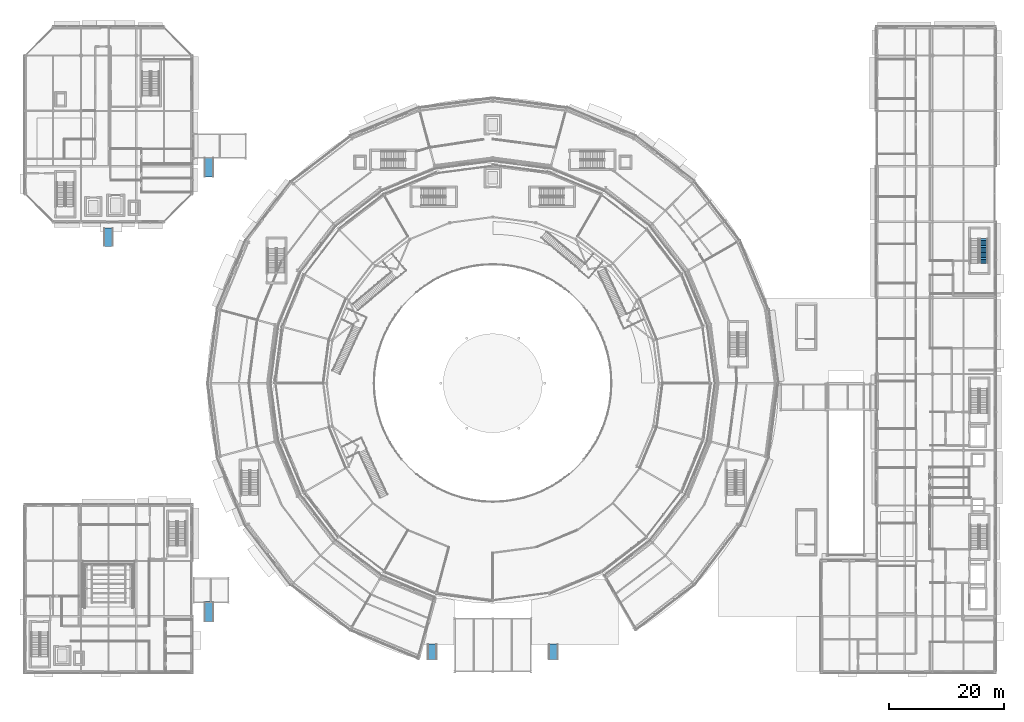
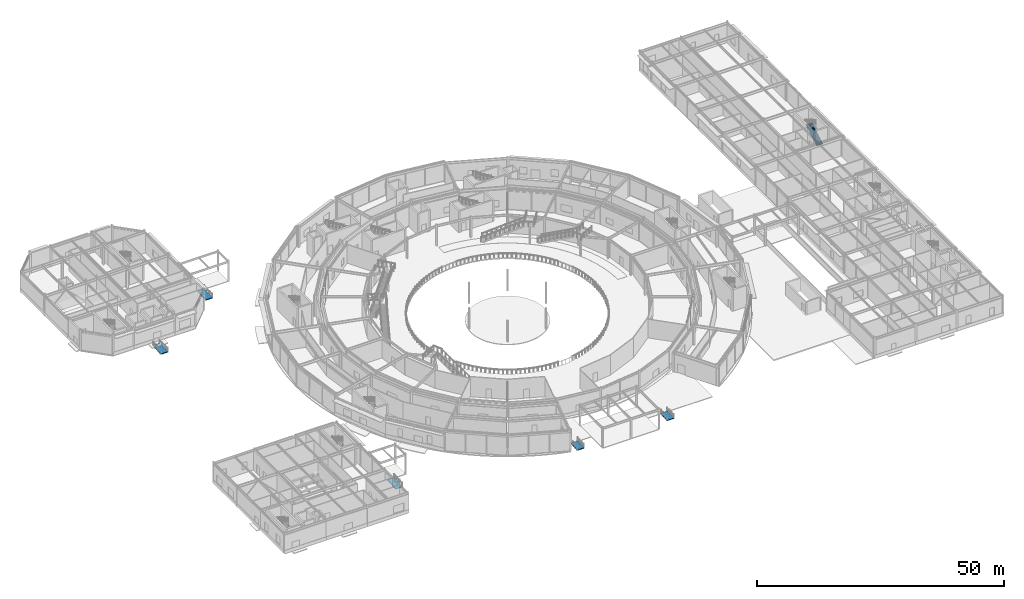
# One storey, part 134 of 168: 5 ramp flights, 1 stair flight, 6 elements without a shape of their own.
"""IFC4 building model written with IfcOpenShell, lengths in metres."""

from ifc_helpers import new_model, si_unit, direction, frame, origin, place, context, subcontext, project, spatial, polyline, outline, extrude, material, layer, layer_set, type_object, element, aggregate, save


model = new_model("IFC4")

# Units and contexts
model_context = context("Model", 3, precision=1e-05, world=origin(), true_north=direction((0.0, 1.0)))
body_context = subcontext(model_context, "Body", "Model", "MODEL_VIEW")
ifc_project = project(units=[si_unit("LENGTHUNIT", "METRE"), si_unit("AREAUNIT", "SQUARE_METRE"), si_unit("VOLUMEUNIT", "CUBIC_METRE"), si_unit("PLANEANGLEUNIT", "RADIAN"), si_unit("MASSUNIT", "GRAM", prefix="KILO")], contexts=[model_context])

# Site, building, storey
site_placement = place(None, origin())
site = spatial("IfcSite", under=ifc_project, at=site_placement, CompositionType="ELEMENT")
building_placement = place(site_placement, origin())
building = spatial("IfcBuilding", under=site, at=building_placement, Name="Almandine Court Research Institute", CompositionType="ELEMENT")
storey_placement = place(building_placement, origin())
storey = spatial("IfcBuildingStorey", under=building, at=storey_placement, Name="L00", CompositionType="ELEMENT", Elevation=0.0)

# Stair, stair flight
ifc_material = material(Name="Concrete C35/45", Category="concrete")
stair_type = type_object("IfcStairType", Name="Stair-Core-30R", PredefinedType="HALF_TURN_STAIR", material=ifc_material)
stair_placement = place(storey_placement, origin())
stair = element("IfcStair", 1, at=stair_placement, inside=storey, type_object=stair_type, Name="L00 Wet Lab North Exit Stair", PredefinedType="HALF_TURN_STAIR")
stair_flight_type = type_object("IfcStairFlightType", Name="Flight-Core-30R", PredefinedType="STRAIGHT", material=ifc_material)
stair_flight_placement = place(storey_placement, frame((172.090087890625, 76.85009765625, 0.0), z_axis=(0.0, 0.0, 1.0), x_axis=(0.0, 1.0, 0.0)))
stair_flight = element("IfcStairFlight", 2, at=stair_flight_placement, type_object=stair_flight_type, Name="ST-13 flight 1", NumberOfRisers=15, NumberOfTreads=14, PredefinedType="STRAIGHT", RiserHeight=0.175, TreadLength=0.3, context=body_context, shape_type="SweptSolid", body=[
    extrude(outline(polyline([(-0.080078125, -0.139892578125), (-0.080078125, 0.0), (0.0, 0.0), (0.0, 0.175048828125), (0.300048828125, 0.175048828125), (0.300048828125, 0.35009765625), (0.60009765625, 0.35009765625), (0.60009765625, 0.52490234375), (0.89990234375, 0.52490234375), (0.89990234375, 0.699951171875), (1.199951171875, 0.699951171875), (1.199951171875, 0.875), (1.5, 0.875), (1.5, 1.050048828125), (1.800048828125, 1.050048828125), (1.800048828125, 1.22509765625), (2.10009765625, 1.22509765625), (2.10009765625, 1.39990234375), (2.39990234375, 1.39990234375), (2.39990234375, 1.574951171875), (2.699951171875, 1.574951171875), (2.699951171875, 1.75), (3.0, 1.75), (3.0, 1.925048828125), (3.300048828125, 1.925048828125), (3.300048828125, 2.10009765625), (3.60009765625, 2.10009765625), (3.60009765625, 2.27490234375), (3.89990234375, 2.27490234375), (3.89990234375, 2.449951171875), (4.199951171875, 2.449951171875), (4.199951171875, 2.625), (4.280029296875, 2.625), (4.280029296875, 2.465087890625), (4.199951171875, 2.264892578125), (0.3173828125, 0.0), (0.3173828125, -0.139892578125), (-0.080078125, -0.139892578125)])), frame((0.0, 0.7099609375, 0.0), z_axis=(0.0, -1.0, 0.0), x_axis=(1.0, 0.0, 0.0)), (0.0, 0.0, 1.0), 1.419921875),
])
aggregate(stair, [stair_flight])

# Ramp, ramp flight
ramp_type = type_object("IfcRampType", Name="Ramp-PED-160", PredefinedType="STRAIGHT_RUN_RAMP", material=ifc_material)
ramp_1_placement = place(storey_placement, origin())
ramp_1 = element("IfcRamp", 3, at=ramp_1_placement, inside=storey, type_object=ramp_type, Name="South Pishtaq Forecourt Accessible Ramp West", PredefinedType="STRAIGHT_RUN_RAMP")
ifc_layer = layer(ifc_material, 0.199951171875)
ifc_layer_set = layer_set([ifc_layer], Name="Concrete C35/45")
ramp_flight_type = type_object("IfcRampFlightType", Name="RampFlight-PED-160", PredefinedType="STRAIGHT", material=ifc_layer_set)
ramp_flight_1_placement = place(storey_placement, frame((76.5, 8.199951171875, -0.14990234375), z_axis=(0.0, 0.0, 1.0), x_axis=(0.0, 1.0, 0.0)))
ramp_flight_1 = element("IfcRampFlight", 4, at=ramp_flight_1_placement, type_object=ramp_flight_type, Name="South Pishtaq Forecourt Accessible Ramp West Flight", PredefinedType="STRAIGHT", context=body_context, shape_type="SweptSolid", body=[
    extrude(outline(polyline([(-0.080078125, -0.199951171875), (-0.080078125, 0.0), (0.0, 0.0), (2.5, 0.14990234375), (2.580078125, 0.14990234375), (2.580078125, -0.050048828125), (2.5, -0.050048828125), (0.0, -0.199951171875), (-0.080078125, -0.199951171875)])), frame((0.0, 0.800048828125, 0.0), z_axis=(0.0, -1.0, 0.0), x_axis=(1.0, 0.0, 0.0)), (0.0, 0.0, 1.0), 1.60009765625),
])
aggregate(ramp_1, [ramp_flight_1])

ramp_2_placement = place(storey_placement, origin())
ramp_2 = element("IfcRamp", 5, at=ramp_2_placement, inside=storey, type_object=ramp_type, Name="South Pishtaq Forecourt Accessible Ramp East", PredefinedType="STRAIGHT_RUN_RAMP")
ramp_flight_2_placement = place(storey_placement, frame((97.5, 8.199951171875, -0.14990234375), z_axis=(0.0, 0.0, 1.0), x_axis=(0.0, 1.0, 0.0)))
ramp_flight_2 = element("IfcRampFlight", 6, at=ramp_flight_2_placement, type_object=ramp_flight_type, Name="South Pishtaq Forecourt Accessible Ramp East Flight", PredefinedType="STRAIGHT", context=body_context, shape_type="SweptSolid", body=[
    extrude(outline(polyline([(-0.080078125, -0.199951171875), (-0.080078125, 0.0), (0.0, 0.0), (2.5, 0.14990234375), (2.580078125, 0.14990234375), (2.580078125, -0.050048828125), (2.5, -0.050048828125), (0.0, -0.199951171875), (-0.080078125, -0.199951171875)])), frame((0.0, 0.800048828125, 0.0), z_axis=(0.0, -1.0, 0.0), x_axis=(1.0, 0.0, 0.0)), (0.0, 0.0, 1.0), 1.60009765625),
])
aggregate(ramp_2, [ramp_flight_2])

ramp_3_placement = place(storey_placement, origin())
ramp_3 = element("IfcRamp", 7, at=ramp_3_placement, inside=storey, type_object=ramp_type, Name="Southwest Dalan Courtyard Accessible Ramp", PredefinedType="STRAIGHT_RUN_RAMP")
ramp_flight_3_placement = place(storey_placement, frame((37.800048828125, 14.800048828125, -0.14990234375), z_axis=(0.0, 0.0, 1.0), x_axis=(0.0, 1.0, 0.0)))
ramp_flight_3 = element("IfcRampFlight", 8, at=ramp_flight_3_placement, type_object=ramp_flight_type, Name="Southwest Dalan Courtyard Accessible Ramp Flight", PredefinedType="STRAIGHT", context=body_context, shape_type="SweptSolid", body=[
    extrude(outline(polyline([(-0.080078125, -0.199951171875), (-0.080078125, 0.0), (0.0, 0.0), (3.25, 0.14990234375), (3.330078125, 0.14990234375), (3.330078125, -0.050048828125), (3.25, -0.050048828125), (0.0, -0.199951171875), (-0.080078125, -0.199951171875)])), frame((0.0, 0.800048828125, 0.0), z_axis=(0.0, -1.0, 0.0), x_axis=(1.0, 0.0, 0.0)), (0.0, 0.0, 1.0), 1.60009765625),
])
aggregate(ramp_3, [ramp_flight_3])

ramp_4_placement = place(storey_placement, origin())
ramp_4 = element("IfcRamp", 9, at=ramp_4_placement, inside=storey, type_object=ramp_type, Name="Northwest Dalan Courtyard Accessible Ramp", PredefinedType="STRAIGHT_RUN_RAMP")
ramp_flight_4_placement = place(storey_placement, frame((37.800048828125, 91.800048828125, -0.14990234375), z_axis=(0.0, 0.0, 1.0), x_axis=(0.0, 1.0, 0.0)))
ramp_flight_4 = element("IfcRampFlight", 10, at=ramp_flight_4_placement, type_object=ramp_flight_type, Name="Northwest Dalan Courtyard Accessible Ramp Flight", PredefinedType="STRAIGHT", context=body_context, shape_type="SweptSolid", body=[
    extrude(outline(polyline([(-0.080078125, -0.199951171875), (-0.080078125, 0.0), (0.0, 0.0), (3.25, 0.14990234375), (3.330078125, 0.14990234375), (3.330078125, -0.050048828125), (3.25, -0.050048828125), (0.0, -0.199951171875), (-0.080078125, -0.199951171875)])), frame((0.0, 0.800048828125, 0.0), z_axis=(0.0, -1.0, 0.0), x_axis=(1.0, 0.0, 0.0)), (0.0, 0.0, 1.0), 1.60009765625),
])
aggregate(ramp_4, [ramp_flight_4])

ramp_5_placement = place(storey_placement, origin())
ramp_5 = element("IfcRamp", 11, at=ramp_5_placement, inside=storey, type_object=ramp_type, Name="Cleanroom South Courtyard Accessible Ramp", PredefinedType="STRAIGHT_RUN_RAMP")
ramp_flight_5_placement = place(storey_placement, frame((20.39990234375, 79.800048828125, -0.14990234375), z_axis=(0.0, 0.0, 1.0), x_axis=(0.0, 1.0, 0.0)))
ramp_flight_5 = element("IfcRampFlight", 12, at=ramp_flight_5_placement, type_object=ramp_flight_type, Name="Cleanroom South Courtyard Accessible Ramp Flight", PredefinedType="STRAIGHT", context=body_context, shape_type="SweptSolid", body=[
    extrude(outline(polyline([(-0.080078125, -0.199951171875), (-0.080078125, 0.0), (0.0, 0.0), (3.050048828125, 0.14990234375), (3.130126953125, 0.14990234375), (3.130126953125, -0.050048828125), (3.050048828125, -0.050048828125), (0.0, -0.199951171875), (-0.080078125, -0.199951171875)])), frame((0.0, 0.800048828125, 0.0), z_axis=(0.0, -1.0, 0.0), x_axis=(1.0, 0.0, 0.0)), (0.0, 0.0, 1.0), 1.60009765625),
])
aggregate(ramp_5, [ramp_flight_5])

save(model, "model.ifc")
